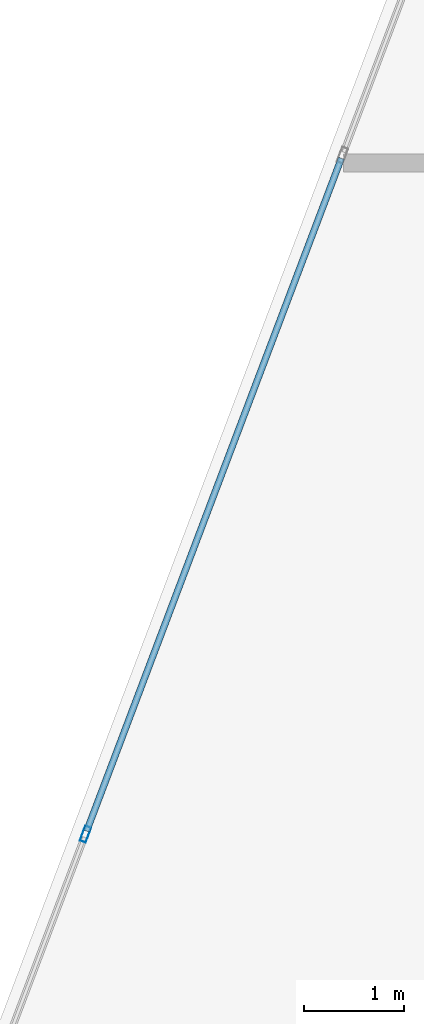
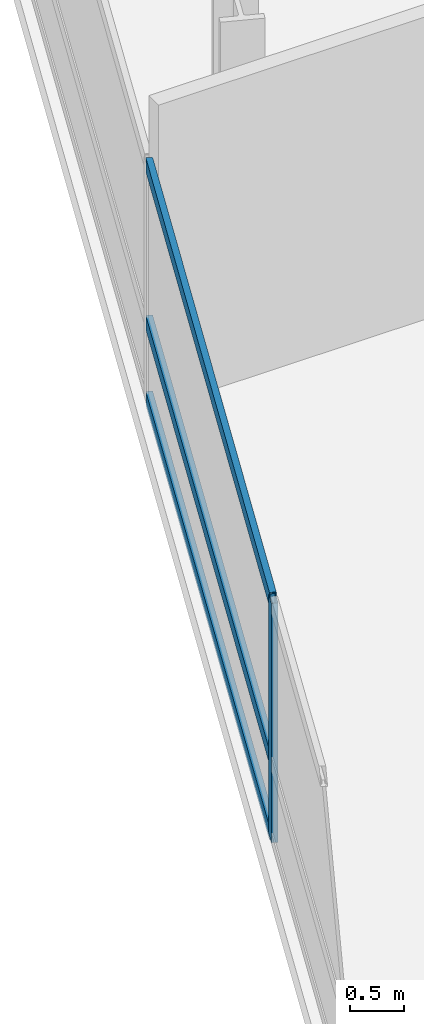
# One storey, part 6 of 24: 4 members, 1 element without a shape of its own.
"""IFC4 building model written with IfcOpenShell, lengths in metres."""

from ifc_helpers import new_model, si_unit, direction, frame, origin, origin_2d, place, context, subcontext, project, spatial, hollow_rectangle, extrude, material, layer, layer_set, material_profile, profile_set, type_object, element, aggregate, save


model = new_model("IFC4")

# Units and contexts
model_context = context("Model", 3, precision=1e-05, world=origin(), true_north=direction((0.0, 1.0)))
body_context = subcontext(model_context, "Body", "Model", "MODEL_VIEW")
ifc_project = project(units=[si_unit("LENGTHUNIT", "METRE"), si_unit("AREAUNIT", "SQUARE_METRE"), si_unit("VOLUMEUNIT", "CUBIC_METRE"), si_unit("PLANEANGLEUNIT", "RADIAN"), si_unit("MASSUNIT", "GRAM", prefix="KILO")], contexts=[model_context])

# Site, building, storey
site_placement = place(None, origin())
site = spatial("IfcSite", under=ifc_project, at=site_placement, CompositionType="ELEMENT")
building_placement = place(site_placement, origin())
building = spatial("IfcBuilding", under=site, at=building_placement, Name="Varnelok Gate Tower", CompositionType="ELEMENT")
storey_placement = place(building_placement, frame((0.0, 0.0, 102.10009765625)))
storey = spatial("IfcBuildingStorey", under=building, at=storey_placement, Name="L25", CompositionType="ELEMENT", Elevation=102.10009765625)

# Curtain wall, members
ifc_material = material(Name="Anodized Aluminum Alloy 6063-T6", Category="aluminium")
ifc_layer = layer(ifc_material, 0.179931640625)
ifc_layer_set = layer_set([ifc_layer], Name="Anodized Aluminum Alloy 6063-T6")
curtain_wall_type = type_object("IfcCurtainWallType", Name="CW3-HOTEL-VISION", PredefinedType="USERDEFINED", material=ifc_layer_set)
curtain_wall_placement = place(storey_placement, origin())
curtain_wall = element("IfcCurtainWall", 1, at=curtain_wall_placement, inside=storey, type_object=curtain_wall_type, Name="L25 West End Vision Curtain Wall", ObjectType="UNITISED CURTAIN WALL", PredefinedType="USERDEFINED")
ifc_material_profile_1 = material_profile(ifc_material, hollow_rectangle(XDim=0.06494140625, YDim=0.159912109375, WallThickness=0.00390625, at=origin_2d()), Name="ALU160X65X4")
ifc_profile_set_1 = profile_set([ifc_material_profile_1], Name="Anodized Aluminum Alloy 6063-T6")
member_type_1 = type_object("IfcMemberType", Name="CW-MULL-160", PredefinedType="MULLION", material=ifc_profile_set_1)
member_1_placement = place(storey_placement, frame((3.072021484375, 35.10693359375, 0.0), z_axis=(0.0, 0.0, 1.0), x_axis=(-0.935221323688, 0.354063660545, 0.0)))
member_1 = element("IfcMember", 2, at=member_1_placement, type_object=member_type_1, Name="CW3 mullion 3", PredefinedType="MULLION", context=body_context, shape_type="SweptSolid", body=[
    extrude(hollow_rectangle(XDim=0.06494140625, YDim=0.159912109375, WallThickness=0.00390625, at=origin_2d()), origin(), (0.0, 0.0, 1.0), 2.72998046875),
])
ifc_material_profile_2 = material_profile(ifc_material, hollow_rectangle(XDim=0.06494140625, YDim=0.159912109375, WallThickness=0.00390625, at=origin_2d()), Name="ALU160X65X4")
ifc_profile_set_2 = profile_set([ifc_material_profile_2], Name="Anodized Aluminum Alloy 6063-T6")
member_type_2 = type_object("IfcMemberType", Name="CW-TRAN-160", PredefinedType="USERDEFINED", material=ifc_profile_set_2)
member_2_placement = place(storey_placement, frame((3.08349609375, 35.13720703125, 0.032470703125), z_axis=(0.354048963644, 0.935226887628, 0.0), x_axis=(-0.935226887628, 0.354048963644, 0.0)))
member_2 = element("IfcMember", 3, at=member_2_placement, type_object=member_type_2, Name="CW3 transom 3.1", ObjectType="TRANSOM", PredefinedType="USERDEFINED", context=body_context, shape_type="SweptSolid", body=[
    extrude(hollow_rectangle(XDim=0.06494140625, YDim=0.159912109375, WallThickness=0.00390625, at=origin_2d()), origin(), (0.0, 0.0, 1.0), 7.175048828125),
])
member_3_placement = place(storey_placement, frame((3.08349609375, 35.13720703125, 0.89990234375), z_axis=(0.354048963644, 0.935226887628, 0.0), x_axis=(-0.935226887628, 0.354048963644, 0.0)))
member_3 = element("IfcMember", 4, at=member_3_placement, type_object=member_type_2, Name="CW3 transom 3.2", ObjectType="TRANSOM", PredefinedType="USERDEFINED", context=body_context, shape_type="SweptSolid", body=[
    extrude(hollow_rectangle(XDim=0.06494140625, YDim=0.159912109375, WallThickness=0.00390625, at=origin_2d()), origin(), (0.0, 0.0, 1.0), 7.175048828125),
])
member_4_placement = place(storey_placement, frame((3.08349609375, 35.13720703125, 2.697509765625), z_axis=(0.354048963644, 0.935226887628, 0.0), x_axis=(-0.935226887628, 0.354048963644, 0.0)))
member_4 = element("IfcMember", 5, at=member_4_placement, type_object=member_type_2, Name="CW3 transom 3.3", ObjectType="TRANSOM", PredefinedType="USERDEFINED", context=body_context, shape_type="SweptSolid", body=[
    extrude(hollow_rectangle(XDim=0.06494140625, YDim=0.159912109375, WallThickness=0.00390625, at=origin_2d()), origin(), (0.0, 0.0, 1.0), 7.175048828125),
])
aggregate(curtain_wall, [member_1, member_2, member_3, member_4])

save(model, "model.ifc")
